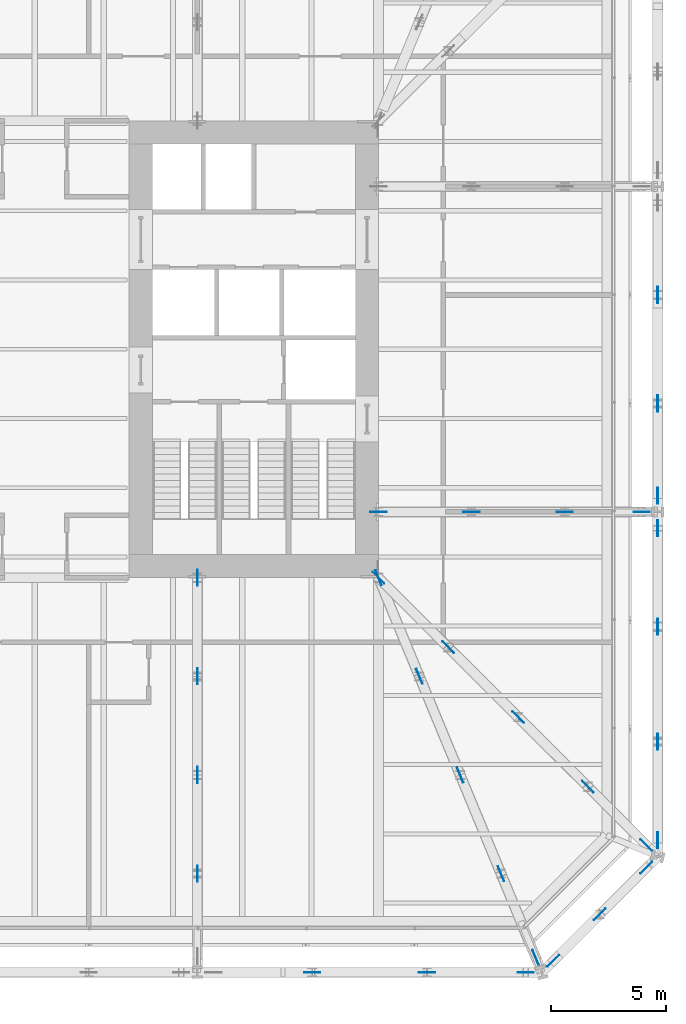
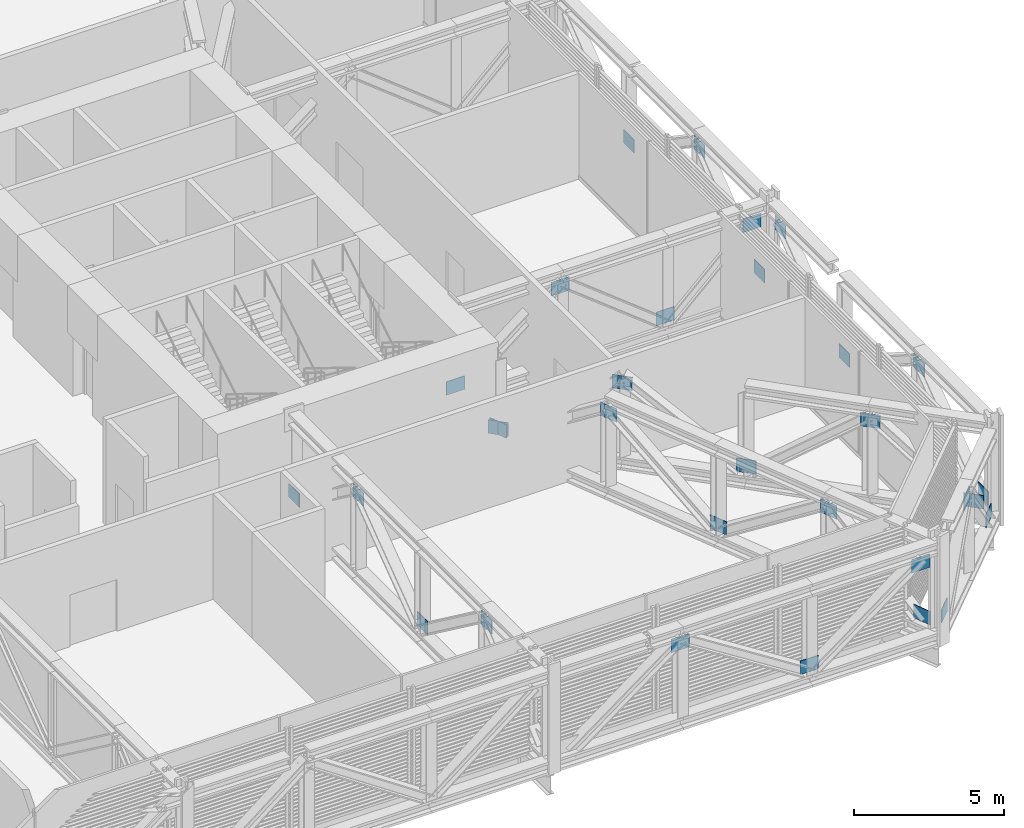
# One storey, part 30 of 33: 31 discrete accessories.
"""IFC4 building model written with IfcOpenShell, lengths in metres."""

from ifc_helpers import new_model, si_unit, direction, frame, origin, origin_2d, place, context, subcontext, project, spatial, rectangle, extrude, material, layer, layer_set, type_object, element, save


model = new_model("IFC4")

# Units and contexts
model_context = context("Model", 3, precision=1e-05, world=origin(), true_north=direction((0.0, 1.0)))
body_context = subcontext(model_context, "Body", "Model", "MODEL_VIEW")
ifc_project = project(units=[si_unit("LENGTHUNIT", "METRE"), si_unit("AREAUNIT", "SQUARE_METRE"), si_unit("VOLUMEUNIT", "CUBIC_METRE"), si_unit("PLANEANGLEUNIT", "RADIAN"), si_unit("MASSUNIT", "GRAM", prefix="KILO")], contexts=[model_context])

# Site, building, storey
site_placement = place(None, origin())
site = spatial("IfcSite", under=ifc_project, at=site_placement, CompositionType="ELEMENT")
building_placement = place(site_placement, origin())
building = spatial("IfcBuilding", under=site, at=building_placement, Name="Millrace Tower", CompositionType="ELEMENT")
storey_placement = place(building_placement, frame((0.0, 0.0, 64.10009765625)))
storey = spatial("IfcBuildingStorey", under=building, at=storey_placement, Name="L14", CompositionType="ELEMENT", Elevation=64.10009765625)

# Discrete accessories
ifc_material = material(Name="Steel ASTM A572 Grade 50", Category="steel")
ifc_layer = layer(ifc_material, 0.02490234375)
ifc_layer_set = layer_set([ifc_layer], Name="Steel ASTM A572 Grade 50")
discrete_accessory_type = type_object("IfcDiscreteAccessoryType", Name="Truss gusset plate 700x550x25", PredefinedType="BRACKET", material=ifc_layer_set)
discrete_accessory_1_placement = place(storey_placement, frame((11.676025390625, -27.0, 3.411865234375), z_axis=(1.0, 0.0, 0.0), x_axis=(0.0, 1.0, 0.0)))
element("IfcDiscreteAccessory", 1, at=discrete_accessory_1_placement, inside=storey, type_object=discrete_accessory_type, Name="Truss gusset plate BLT-L14-R04-D01 head", PredefinedType="BRACKET", context=body_context, shape_type="SweptSolid", body=[
    extrude(rectangle(XDim=0.02490234375, YDim=0.550048828125, at=origin_2d()), origin(), (0.0, 0.0, 1.0), 0.7001953125),
])
for number, where, z_axis, x_axis, name in (
    (2, (16.65234375, -27.0, 0.7880859375), (1.0, 0.0, 0.0), (0.0, 1.0, 0.0), "Truss gusset plate BLT-L14-R04-D02 foot"),
    (3, (20.928466796875, -27.0, 3.411865234375), (1.0, 0.0, 0.0), (0.0, 1.0, 0.0), "Truss gusset plate BLT-L14-R04-D03 head"),
    (4, (22.225830078125, -26.75244140625, 0.7880859375), (0.707281138664, 0.706932380706, 0.0), (-0.706932380706, 0.707281138664, 0.0), "Truss gusset plate BLT-L14-R05-D01 foot"),
):
    element("IfcDiscreteAccessory", number, at=place(storey_placement, frame(where, z_axis=z_axis, x_axis=x_axis)), inside=storey, type_object=discrete_accessory_type, Name=name, PredefinedType="BRACKET", context=body_context, shape_type="SweptSolid", body=[
        extrude(rectangle(XDim=0.02490234375, YDim=0.550048828125, at=origin_2d()), origin(), (0.0, 0.0, 1.0), 0.699951171875),
    ])
discrete_accessory_2_placement = place(storey_placement, frame((24.24169921875, -24.73681640625, 3.411865234375), z_axis=(0.707106781187, 0.707106781187, 0.0), x_axis=(-0.707106781187, 0.707106781187, 0.0)))
element("IfcDiscreteAccessory", 5, at=discrete_accessory_2_placement, inside=storey, type_object=discrete_accessory_type, Name="Truss gusset plate BLT-L14-R05-D01 head", PredefinedType="BRACKET", context=body_context, shape_type="SweptSolid", body=[
    extrude(rectangle(XDim=0.02490234375, YDim=0.550048828125, at=origin_2d()), origin(), (0.0, 0.0, 1.0), 0.7001953125),
])
for number, where, z_axis, x_axis, name in (
    (6, (26.257568359375, -22.720947265625, 0.7880859375), (0.706932380706, 0.707281138664, 0.0), (-0.707281138664, 0.706932380706, 0.0), "Truss gusset plate BLT-L14-R05-D02 foot"),
    (7, (27.0, -21.62841796875, 0.7880859375), (0.0, 1.0, 0.0), (-1.0, 0.0, 0.0), "Truss gusset plate BLT-L14-R06-D01 foot"),
    (8, (27.0, -17.352294921875, 3.411865234375), (0.0, 1.0, 0.0), (-1.0, 0.0, 0.0), "Truss gusset plate BLT-L14-R06-D01 head"),
):
    element("IfcDiscreteAccessory", number, at=place(storey_placement, frame(where, z_axis=z_axis, x_axis=x_axis)), inside=storey, type_object=discrete_accessory_type, Name=name, PredefinedType="BRACKET", context=body_context, shape_type="SweptSolid", body=[
        extrude(rectangle(XDim=0.02490234375, YDim=0.550048828125, at=origin_2d()), origin(), (0.0, 0.0, 1.0), 0.699951171875),
    ])
for number, where, z_axis, x_axis, name in (
    (9, (27.0, -12.376220703125, 0.7880859375), (0.0, 1.0, 0.0), (-1.0, 0.0, 0.0), "Truss gusset plate BLT-L14-R06-D02 foot"),
    (10, (27.0, -8.10009765625, 3.411865234375), (0.0, 1.0, 0.0), (-1.0, 0.0, 0.0), "Truss gusset plate BLT-L14-R06-D03 head"),
):
    element("IfcDiscreteAccessory", number, at=place(storey_placement, frame(where, z_axis=z_axis, x_axis=x_axis)), inside=storey, type_object=discrete_accessory_type, Name=name, PredefinedType="BRACKET", context=body_context, shape_type="SweptSolid", body=[
        extrude(rectangle(XDim=0.02490234375, YDim=0.550048828125, at=origin_2d()), origin(), (0.0, 0.0, 1.0), 0.7001953125),
    ])
for number, where, z_axis, x_axis, name in (
    (11, (27.0, -6.699951171875, 0.7880859375), (0.0, 1.0, 0.0), (-1.0, 0.0, 0.0), "Truss gusset plate BLT-L14-R07-D01 foot"),
    (12, (27.0, -2.699951171875, 3.411865234375), (0.0, 1.0, 0.0), (-1.0, 0.0, 0.0), "Truss gusset plate BLT-L14-R07-D01 head"),
    (13, (27.0, 2.0, 0.7880859375), (0.0, 1.0, 0.0), (-1.0, 0.0, 0.0), "Truss gusset plate BLT-L14-R07-D02 foot"),
    (14, (7.050048828125, -10.25, 0.7880859375), (0.0, 1.0, 0.0), (-1.0, 0.0, 0.0), "Truss gusset plate BLT-L14-O04-D01 foot"),
    (15, (7.050048828125, -14.52490234375, 3.411865234375), (0.0, 1.0, 0.0), (-1.0, 0.0, 0.0), "Truss gusset plate BLT-L14-O04-D01 head"),
    (16, (7.050048828125, -18.800048828125, 0.7880859375), (0.0, 1.0, 0.0), (-1.0, 0.0, 0.0), "Truss gusset plate BLT-L14-O04-D02 foot"),
    (17, (7.050048828125, -23.074951171875, 3.411865234375), (0.0, 1.0, 0.0), (-1.0, 0.0, 0.0), "Truss gusset plate BLT-L14-O04-D03 head"),
    (18, (14.76611328125, -9.57666015625, 0.7880859375), (0.382608492088, -0.92391057023, 0.0), (0.92391057023, 0.382608492088, 0.0), "Truss gusset plate BLT-L14-O05-D01 foot"),
    (19, (16.53564453125, -13.8515625, 3.411865234375), (0.382608492088, -0.92391057023, 0.0), (0.92391057023, 0.382608492088, 0.0), "Truss gusset plate BLT-L14-O05-D01 head"),
    (20, (18.305419921875, -18.126708984375, 0.7880859375), (0.38231071261, -0.924033830021, 0.0), (0.924033830021, 0.38231071261, 0.0), "Truss gusset plate BLT-L14-O05-D02 foot"),
    (21, (20.074951171875, -22.401611328125, 3.411865234375), (0.382608492088, -0.92391057023, 0.0), (0.92391057023, 0.382608492088, 0.0), "Truss gusset plate BLT-L14-O05-D03 head"),
    (22, (21.576904296875, -26.02978515625, 0.7880859375), (0.38231071261, -0.924033830021, 0.0), (0.924033830021, 0.38231071261, 0.0), "Truss gusset plate BLT-L14-O05-D04 foot"),
    (23, (14.65234375, -9.652587890625, 0.7880859375), (0.707629724481, -0.706583450861, 0.0), (0.706583450861, 0.707629724481, 0.0), "Truss gusset plate BLT-L14-O06-D01 foot"),
    (24, (17.67724609375, -12.67236328125, 3.411865234375), (0.707629724481, -0.706583450861, 0.0), (0.706583450861, 0.707629724481, 0.0), "Truss gusset plate BLT-L14-O06-D01 head"),
    (25, (20.702392578125, -15.69189453125, 0.7880859375), (0.707629724481, -0.706583450861, 0.0), (0.706583450861, 0.707629724481, 0.0), "Truss gusset plate BLT-L14-O06-D02 foot"),
    (26, (23.727294921875, -18.711669921875, 3.411865234375), (0.707804124643, -0.706408749336, 0.0), (0.706408749336, 0.707804124643, 0.0), "Truss gusset plate BLT-L14-O06-D03 head"),
    (27, (26.2568359375, -21.236572265625, 0.7880859375), (0.707629724481, -0.706583450861, 0.0), (0.706583450861, 0.707629724481, 0.0), "Truss gusset plate BLT-L14-O06-D04 foot"),
    (28, (14.550048828125, -7.050048828125, 0.7880859375), (1.0, 0.0, 0.0), (0.0, 1.0, 0.0), "Truss gusset plate BLT-L14-O07-D01 foot"),
    (29, (18.583251953125, -7.050048828125, 3.411865234375), (1.0, 0.0, 0.0), (0.0, 1.0, 0.0), "Truss gusset plate BLT-L14-O07-D01 head"),
    (30, (22.61669921875, -7.050048828125, 0.7880859375), (1.0, 0.0, 0.0), (0.0, 1.0, 0.0), "Truss gusset plate BLT-L14-O07-D02 foot"),
    (31, (25.949951171875, -7.050048828125, 3.411865234375), (1.0, 0.0, 0.0), (0.0, 1.0, 0.0), "Truss gusset plate BLT-L14-O07-D03 head"),
):
    element("IfcDiscreteAccessory", number, at=place(storey_placement, frame(where, z_axis=z_axis, x_axis=x_axis)), inside=storey, type_object=discrete_accessory_type, Name=name, PredefinedType="BRACKET", context=body_context, shape_type="SweptSolid", body=[
        extrude(rectangle(XDim=0.02490234375, YDim=0.550048828125, at=origin_2d()), origin(), (0.0, 0.0, 1.0), 0.699951171875),
    ])

save(model, "model.ifc")
